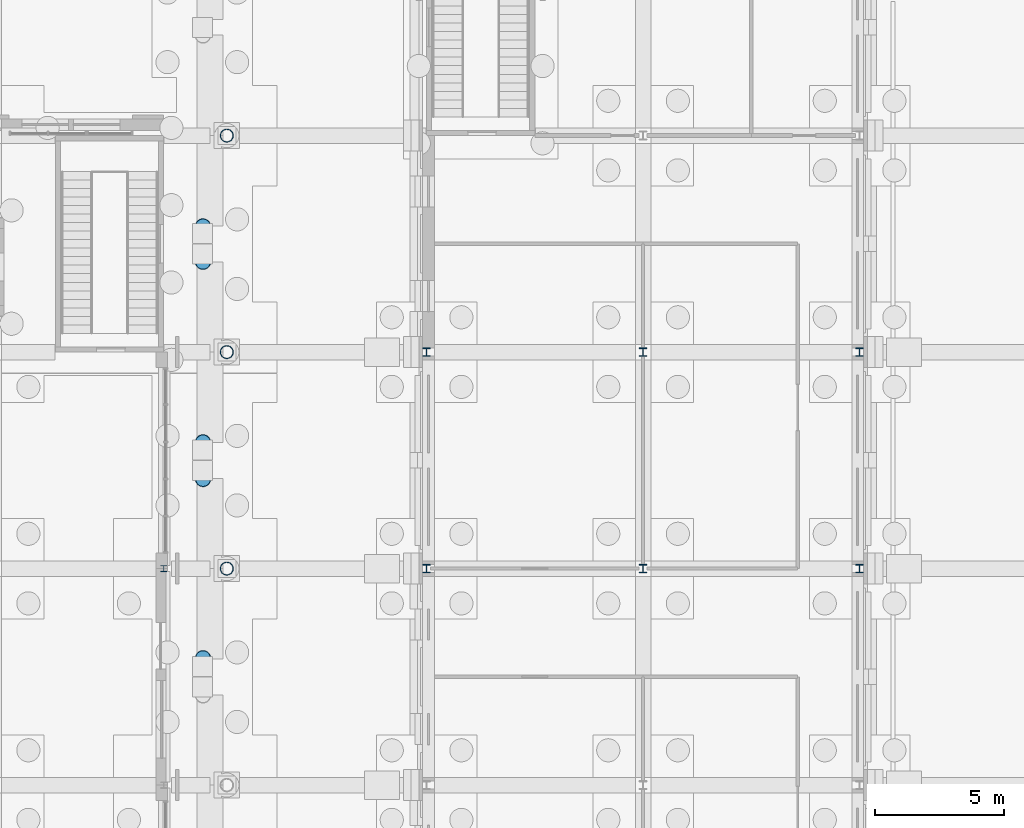
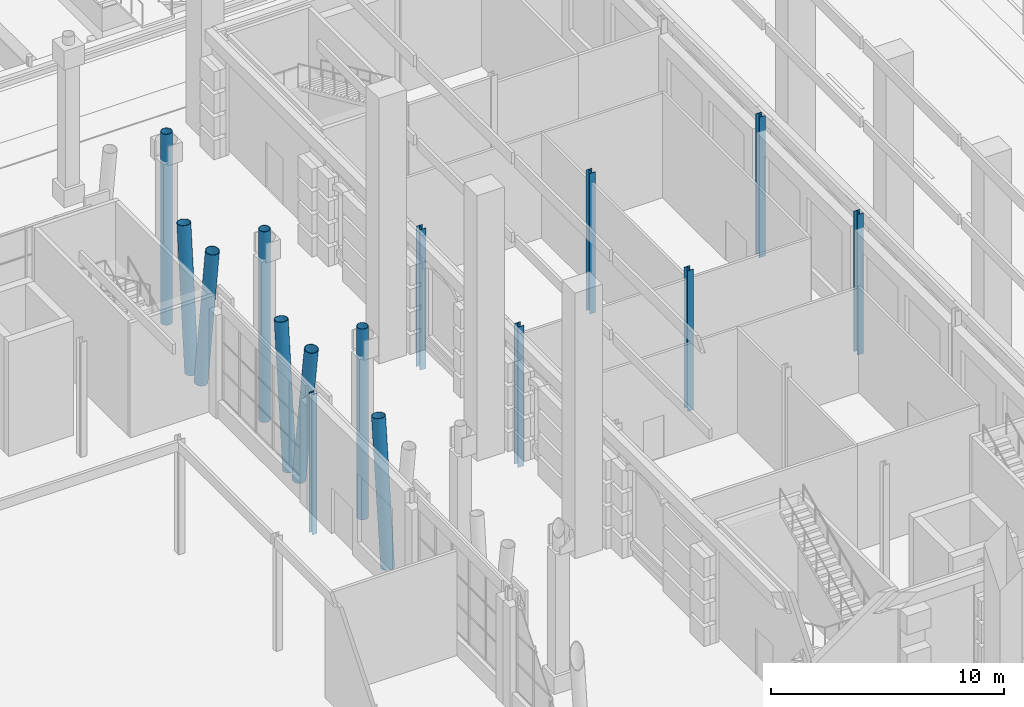
# One storey, part 24 of 222: 15 columns.
"""IFC4 building model written with IfcOpenShell, lengths in metres."""

from ifc_helpers import new_model, si_unit, direction, frame, origin, origin_2d, place, context, subcontext, project, spatial, hollow_circle, i_section, extrude, material, material_profile, profile_set, type_object, element, save


model = new_model("IFC4")

# Units and contexts
model_context = context("Model", 3, precision=1e-05, world=origin(), true_north=direction((0.0, 1.0)))
body_context = subcontext(model_context, "Body", "Model", "MODEL_VIEW")
ifc_project = project(units=[si_unit("LENGTHUNIT", "METRE"), si_unit("AREAUNIT", "SQUARE_METRE"), si_unit("VOLUMEUNIT", "CUBIC_METRE"), si_unit("PLANEANGLEUNIT", "RADIAN"), si_unit("MASSUNIT", "GRAM", prefix="KILO")], contexts=[model_context])

# Site, building, storey
site_placement = place(None, origin())
site = spatial("IfcSite", under=ifc_project, at=site_placement, CompositionType="ELEMENT")
building_placement = place(site_placement, origin())
building = spatial("IfcBuilding", under=site, at=building_placement, Name="Sava Quay Ferry Terminal", CompositionType="ELEMENT")
storey_placement = place(building_placement, origin())
storey = spatial("IfcBuildingStorey", under=building, at=storey_placement, Name="L00", CompositionType="ELEMENT", Elevation=0.0)

# Columns
ifc_material_1 = material(Name="Steel S355", Category="steel")
ifc_material_profile_1 = material_profile(ifc_material_1, i_section(OverallWidth=0.239990234375, OverallDepth=0.239990234375, WebThickness=0.010009765625, FlangeThickness=0.01708984375, at=origin_2d()), Name="HE 240 B")
ifc_profile_set_1 = profile_set([ifc_material_profile_1], Name="Steel S355")
column_type_1 = type_object("IfcColumnType", Name="Column HE 240 B", PredefinedType="COLUMN", material=ifc_profile_set_1)
column_1_placement = place(storey_placement, frame((82.199951171875, 84.0, -1.35009765625), z_axis=(0.0, 0.0, 1.0), x_axis=(1.0, 0.0, 0.0)))
element("IfcColumn", 1, at=column_1_placement, inside=storey, type_object=column_type_1, Name="Column L00 82.2/84", PredefinedType="COLUMN", context=body_context, shape_type="SweptSolid", body=[
    extrude(i_section(OverallWidth=0.239990234375, OverallDepth=0.239990234375, WebThickness=0.010009765625, FlangeThickness=0.01708984375, at=origin_2d()), origin(), (0.0, 0.0, 1.0), 7.35009765625),
])
ifc_material_2 = material(Name="Steel S355", Category="steel")
ifc_material_profile_2 = material_profile(ifc_material_2, i_section(OverallWidth=0.300048828125, OverallDepth=0.320068359375, WebThickness=0.011474609375, FlangeThickness=0.0205078125, at=origin_2d()), Name="HE 320 B")
ifc_profile_set_2 = profile_set([ifc_material_profile_2], Name="Steel S355")
column_type_2 = type_object("IfcColumnType", Name="Column HE 320 B", PredefinedType="COLUMN", material=ifc_profile_set_2)
for number, where, z_axis, x_axis, name in (
    (2, (92.39990234375, 84.0, -1.35009765625), (0.0, 0.0, 1.0), (1.0, 0.0, 0.0), "Column L00 92.4/84"),
    (3, (92.39990234375, 92.39990234375, -1.35009765625), (0.0, 0.0, 1.0), (1.0, 0.0, 0.0), "Column L00 92.4/92.4"),
    (4, (100.800048828125, 84.0, -1.35009765625), (0.0, 0.0, 1.0), (1.0, 0.0, 0.0), "Column L00 100.8/84"),
    (5, (100.800048828125, 92.39990234375, -1.35009765625), (0.0, 0.0, 1.0), (1.0, 0.0, 0.0), "Column L00 100.8/92.4"),
    (6, (109.199951171875, 84.0, -1.35009765625), (0.0, 0.0, 1.0), (1.0, 0.0, 0.0), "Column L00 109.2/84"),
    (7, (109.199951171875, 92.39990234375, -1.35009765625), (0.0, 0.0, 1.0), (1.0, 0.0, 0.0), "Column L00 109.2/92.4"),
):
    element("IfcColumn", number, at=place(storey_placement, frame(where, z_axis=z_axis, x_axis=x_axis)), inside=storey, type_object=column_type_2, Name=name, PredefinedType="COLUMN", context=body_context, shape_type="SweptSolid", body=[
        extrude(i_section(OverallWidth=0.300048828125, OverallDepth=0.320068359375, WebThickness=0.011474609375, FlangeThickness=0.0205078125, at=origin_2d()), origin(), (0.0, 0.0, 1.0), 7.35009765625),
    ])
ifc_material_3 = material(Name="Steel S355", Category="steel")
ifc_material_profile_3 = material_profile(ifc_material_3, hollow_circle(Radius=0.25390625, WallThickness=0.01611328125, at=origin_2d()), Name="CHS 508 x 16.0")
ifc_profile_set_3 = profile_set([ifc_material_profile_3], Name="Steel S355")
column_type_3 = type_object("IfcColumnType", Name="Stern post CHS 508x16", PredefinedType="COLUMN", material=ifc_profile_set_3)
for number, where, z_axis, x_axis, name in (
    (8, (84.64990234375, 84.0, -1.35009765625), (0.0, 0.0, 1.0), (1.0, 0.0, 0.0), "Passage roof post 4"),
    (9, (84.64990234375, 92.39990234375, -1.35009765625), (0.0, 0.0, 1.0), (1.0, 0.0, 0.0), "Passage roof post 5"),
    (10, (84.64990234375, 100.800048828125, -1.35009765625), (0.0, 0.0, 1.0), (1.0, 0.0, 0.0), "Passage roof post 6"),
):
    element("IfcColumn", number, at=place(storey_placement, frame(where, z_axis=z_axis, x_axis=x_axis)), inside=storey, type_object=column_type_3, Name=name, PredefinedType="COLUMN", context=body_context, shape_type="SweptSolid", body=[
        extrude(hollow_circle(Radius=0.25390625, WallThickness=0.01611328125, at=origin_2d()), origin(), (0.0, 0.0, 1.0), 9.988525390625),
    ])
ifc_material_4 = material(Name="Steel S355", Category="steel")
ifc_material_profile_4 = material_profile(ifc_material_4, hollow_circle(Radius=0.304931640625, WallThickness=0.02001953125, at=origin_2d()), Name="CHS 610 x 20.0")
ifc_profile_set_4 = profile_set([ifc_material_profile_4], Name="Steel S355")
column_type_4 = type_object("IfcColumnType", Name="V column CHS 610x20", PredefinedType="COLUMN", material=ifc_profile_set_4)
for number, where, z_axis, x_axis, name in (
    (11, (83.699951171875, 80.199951171875, -1.35009765625), (0.010874878836, 0.124830427365, 0.99211849162), (-0.99622675963, 0.086788498067, 0.0), "Departure hall V column D-VR4a part 1"),
    (12, (83.699951171875, 87.800048828125, -1.35009765625), (0.010874878836, -0.124830427365, 0.99211849162), (0.99622675963, 0.086788498067, 0.0), "Departure hall V column D-VR4b part 1"),
):
    element("IfcColumn", number, at=place(storey_placement, frame(where, z_axis=z_axis, x_axis=x_axis)), inside=storey, type_object=column_type_4, Name=name, PredefinedType="COLUMN", context=body_context, shape_type="SweptSolid", body=[
        extrude(hollow_circle(Radius=0.304931640625, WallThickness=0.02001953125, at=origin_2d()), origin(), (0.0, 0.0, 1.0), 7.408447265625),
    ])
for number, where, z_axis, x_axis, name in (
    (13, (83.699951171875, 88.60009765625, -1.35009765625), (0.010062815945, 0.115276980035, 0.993282415836), (-0.996211646288, 0.086961806559, 0.0), "Departure hall V column D-VR5a part 1"),
    (14, (83.699951171875, 96.199951171875, -1.35009765625), (0.010062777667, -0.115309534254, 0.993278637551), (0.996213801554, 0.086937112868, 0.0), "Departure hall V column D-VR5b part 1"),
):
    element("IfcColumn", number, at=place(storey_placement, frame(where, z_axis=z_axis, x_axis=x_axis)), inside=storey, type_object=column_type_4, Name=name, PredefinedType="COLUMN", context=body_context, shape_type="SweptSolid", body=[
        extrude(hollow_circle(Radius=0.304931640625, WallThickness=0.02001953125, at=origin_2d()), origin(), (0.0, 0.0, 1.0), 7.39990234375),
    ])
column_2_placement = place(storey_placement, frame((83.699951171875, 97.0, -1.35009765625), z_axis=(0.009345611445, 0.107127786312, 0.994201336223), x_axis=(-0.996216350468, 0.086907899871, 0.0)))
element("IfcColumn", 15, at=column_2_placement, inside=storey, type_object=column_type_4, Name="Departure hall V column D-VR6a part 1", PredefinedType="COLUMN", context=body_context, shape_type="SweptSolid", body=[
    extrude(hollow_circle(Radius=0.304931640625, WallThickness=0.02001953125, at=origin_2d()), origin(), (0.0, 0.0, 1.0), 7.39306640625),
])

save(model, "model.ifc")
